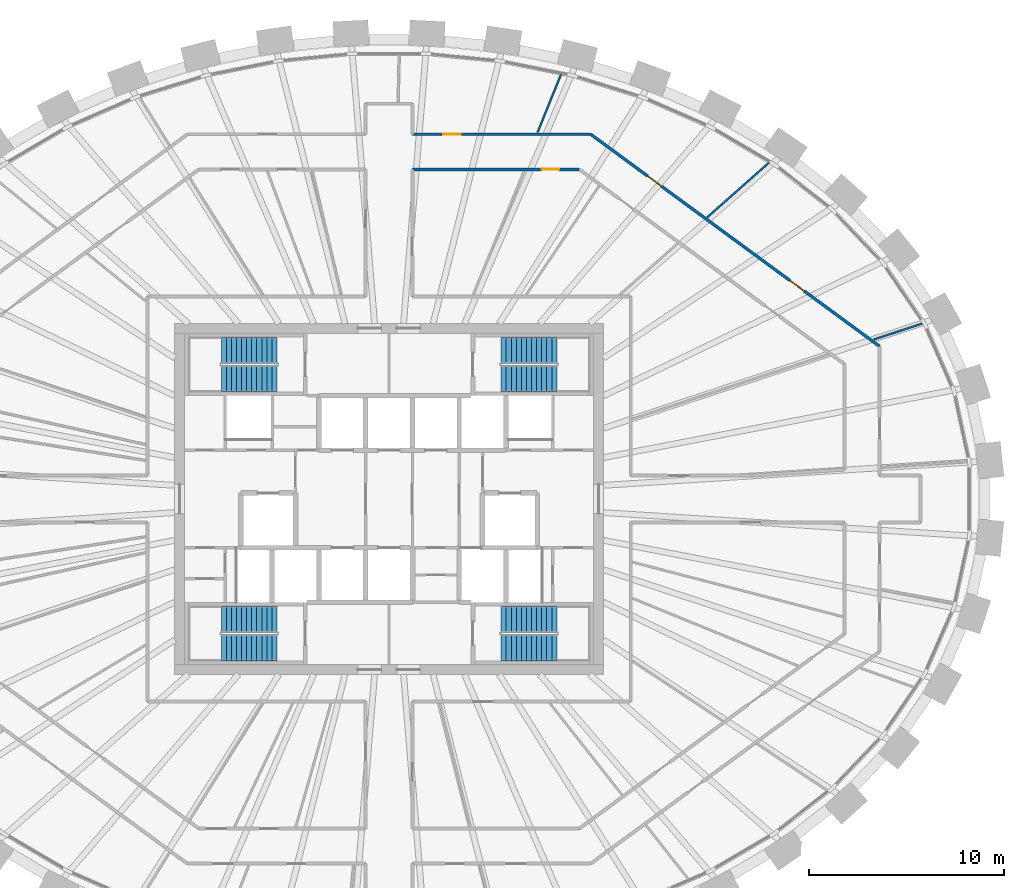
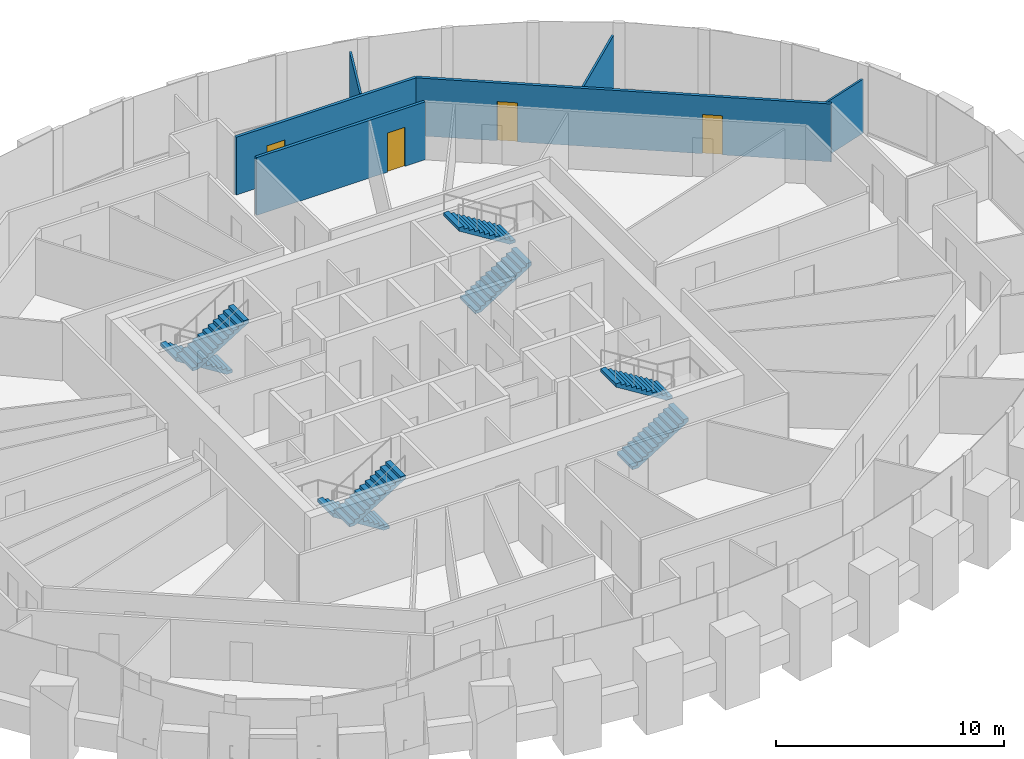
# One storey, part 11 of 12: 8 stair flights, 6 walls, 4 doors, 4 openings, 4 elements without a shape of their own.
"""IFC4 building model written with IfcOpenShell, lengths in metres."""

import ifcopenshell
import ifcopenshell.guid

model = None  # the IFC model being written
_history = None  # IfcOwnerHistory: only IFC2X3 demands one
_inside = {}  # id of a spatial element -> (the spatial element, [elements in it])
_under = {}  # id of a project, library or spatial element -> (it, [spatial elements below it])
_declared = {}  # id of a project -> (the project, [libraries it declares])
_typed = {}  # id of a type object -> (the type object, [elements of that type])
_made_of = {}  # id of a material, layer set ... -> (it, [elements and type objects made of it])


def new_model(schema):
    """Start an empty IFC model of exactly this schema.

    Asked for "IFC4X3", IfcOpenShell would pick the latest addendum, in which some entities
    have other attributes; the version numbers below select the first issue.
    IFC2X3 requires an IfcOwnerHistory on every rooted entity: one is made here for all.
    """
    global model, _history
    if schema == "IFC4X3":
        model = ifcopenshell.file(schema_version=(4, 3, 0, 0))
    else:
        model = ifcopenshell.file(schema=schema)
    _inside.clear()
    _under.clear()
    _declared.clear()
    _typed.clear()
    _made_of.clear()
    _history = None
    if model.schema == "IFC2X3":
        org = make("IfcOrganization", Name="unknown")
        user = make(
            "IfcPersonAndOrganization",
            ThePerson=make("IfcPerson", FamilyName="unknown"),
            TheOrganization=org,
        )
        app = make(
            "IfcApplication",
            ApplicationDeveloper=org,
            Version="unknown",
            ApplicationFullName="unknown",
            ApplicationIdentifier="unknown",
        )
        _history = make(
            "IfcOwnerHistory",
            OwningUser=user,
            OwningApplication=app,
            ChangeAction="ADDED",
            CreationDate=0,
        )
    return model


def make(cls, **values):
    """One entity of the class cls with the attributes given. An attribute that is None is left unset."""
    return model.create_entity(
        cls, **{name: value for name, value in values.items() if value is not None}
    )


def rooted(cls, **values):
    """An entity with a GlobalId (a new one), such as an element, a storey or a relation."""
    return make(cls, GlobalId=ifcopenshell.guid.new(), OwnerHistory=_history, **values)


def si_unit(unit_type, name, prefix=None):
    """IfcSIUnit, for example si_unit("LENGTHUNIT", "METRE", prefix="MILLI")."""
    return make("IfcSIUnit", UnitType=unit_type, Prefix=prefix, Name=name)


def assignment(units):
    """IfcUnitAssignment: the units of a project."""
    return None if units is None else make("IfcUnitAssignment", Units=units)


def point(xyz):
    """IfcCartesianPoint."""
    return None if xyz is None else make("IfcCartesianPoint", Coordinates=xyz)


def direction(xyz):
    """IfcDirection."""
    return None if xyz is None else make("IfcDirection", DirectionRatios=xyz)


def frame(location, z_axis=None, x_axis=None):
    """IfcAxis2Placement3D, a coordinate frame: its origin and axes. An axis left out is left unset."""
    return make(
        "IfcAxis2Placement3D",
        Location=point(location),
        Axis=direction(z_axis),
        RefDirection=direction(x_axis),
    )


def frame_2d(location, x_axis=None):
    """IfcAxis2Placement2D, a coordinate frame in the plane: its origin and x axis."""
    return make(
        "IfcAxis2Placement2D", Location=point(location), RefDirection=direction(x_axis)
    )


def origin():
    """The frame at (0, 0, 0) with its axes left unset."""
    return frame((0.0, 0.0, 0.0))


def place(relative_to, where):
    """IfcLocalPlacement: puts the frame where relative to a parent placement (None: the world)."""
    return make(
        "IfcLocalPlacement", PlacementRelTo=relative_to, RelativePlacement=where
    )


def context(
    kind, dimensions, precision=None, world=None, true_north=None, identifier=None
):
    """IfcGeometricRepresentationContext, for example the 3D "Model" context."""
    return make(
        "IfcGeometricRepresentationContext",
        ContextIdentifier=identifier,
        ContextType=kind,
        CoordinateSpaceDimension=dimensions,
        Precision=precision,
        WorldCoordinateSystem=world,
        TrueNorth=true_north,
    )


def subcontext(parent, identifier, kind, view, scale=None):
    """IfcGeometricRepresentationSubContext, for example "Body" below "Model"."""
    return make(
        "IfcGeometricRepresentationSubContext",
        ContextIdentifier=identifier,
        ContextType=kind,
        ParentContext=parent,
        TargetScale=scale,
        TargetView=view,
    )


def project(units=None, contexts=None):
    """IfcProject with its units and contexts."""
    return rooted(
        "IfcProject",
        Name="project",
        RepresentationContexts=contexts,
        UnitsInContext=assignment(units),
    )


def spatial(cls, under=None, at=None, **own):
    """A site, building, storey or space (cls), placed at a placement, below another one or the project."""
    s = rooted(cls, ObjectPlacement=at, **own)
    if under is not None:
        _under.setdefault(under.id(), (under, []))[1].append(s)
    return s


def polyline(points):
    """IfcPolyline through the points."""
    return make("IfcPolyline", Points=[point(p) for p in points])


def profile(cls, at=None, kind="AREA", **sizes):
    """A parametric profile (cls). Its sizes go by their IFC names, for example OverallWidth=200.0."""
    return make(cls, ProfileType=kind, Position=at, **sizes)


def rectangle(**sizes):
    """IfcRectangleProfileDef."""
    return profile("IfcRectangleProfileDef", **sizes)


def outline(outer, holes=None, kind="AREA"):
    """IfcArbitraryClosedProfileDef: a profile drawn as a closed curve; with holes, ...WithVoids."""
    if holes is None:
        return make("IfcArbitraryClosedProfileDef", ProfileType=kind, OuterCurve=outer)
    return make(
        "IfcArbitraryProfileDefWithVoids",
        ProfileType=kind,
        OuterCurve=outer,
        InnerCurves=holes,
    )


def extrude(swept, where, along, depth):
    """IfcExtrudedAreaSolid: the profile swept, set in the frame where, extruded along a direction by depth."""
    return make(
        "IfcExtrudedAreaSolid",
        SweptArea=swept,
        Position=where,
        ExtrudedDirection=direction(along),
        Depth=depth,
    )


def shape(context_of_items, identifier, shape_type, items):
    """IfcShapeRepresentation: the items that make up one representation, for example the "Body"."""
    return make(
        "IfcShapeRepresentation",
        ContextOfItems=context_of_items,
        RepresentationIdentifier=identifier,
        RepresentationType=shape_type,
        Items=items,
    )


def source(mapping_origin, context_of_items, identifier, shape_type, items):
    """IfcRepresentationMap: a shape defined once, which mapped items show again and again."""
    return make(
        "IfcRepresentationMap",
        MappingOrigin=mapping_origin,
        MappedRepresentation=shape(context_of_items, identifier, shape_type, items),
    )


def transform(
    local_origin,
    x_axis=None,
    y_axis=None,
    z_axis=None,
    scale=None,
    scale2=None,
    scale3=None,
    uniform=True,
):
    """IfcCartesianTransformationOperator3D, or its non-uniform kind. x_axis, y_axis, z_axis: its Axis1, 2, 3."""
    if uniform:
        return make(
            "IfcCartesianTransformationOperator3D",
            Axis1=direction(x_axis),
            Axis2=direction(y_axis),
            LocalOrigin=point(local_origin),
            Scale=scale,
            Axis3=direction(z_axis),
        )
    return make(
        "IfcCartesianTransformationOperator3DnonUniform",
        Axis1=direction(x_axis),
        Axis2=direction(y_axis),
        LocalOrigin=point(local_origin),
        Scale=scale,
        Axis3=direction(z_axis),
        Scale2=scale2,
        Scale3=scale3,
    )


def mapped(mapping_source, mapping_target):
    """IfcMappedItem: shows the shape of a source again, moved by a transform."""
    return make(
        "IfcMappedItem", MappingSource=mapping_source, MappingTarget=mapping_target
    )


def material(Name=None, Category=None):
    """IfcMaterial."""
    return make("IfcMaterial", Name=Name, Category=Category)


def layer(
    of_material, thickness, ventilated=None, Name=None, Category=None, Priority=None
):
    """IfcMaterialLayer: one layer of a wall or slab, of a material (None: an air gap)."""
    return make(
        "IfcMaterialLayer",
        Material=of_material,
        LayerThickness=thickness,
        IsVentilated=ventilated,
        Name=Name,
        Category=Category,
        Priority=Priority,
    )


def layer_set(layers, Name=None):
    """IfcMaterialLayerSet."""
    return make("IfcMaterialLayerSet", MaterialLayers=layers, LayerSetName=Name)


def made_of(thing, what):
    """Note that an element or type object is made of a material, layer set ...; save() writes the relation."""
    if what is not None:
        _made_of.setdefault(what.id(), (what, []))[1].append(thing)
    return thing


def type_object(cls, material=None, **own):
    """A type object (cls), such as IfcWallType, which elements share."""
    return made_of(rooted(cls, **own), material)


def element(
    cls,
    number,
    at=None,
    inside=None,
    cuts=None,
    type_object=None,
    material=None,
    context=None,
    identifier="Body",
    shape_type=None,
    held_by="IfcProductDefinitionShape",
    body=None,
    shapes=None,
    **own,
):
    """One element of the class cls, such as IfcWall. Its Tag is "e" and its number.

    at: its placement. inside: the storey or other place that contains it. cuts: it is an
    opening in that element (IfcRelVoidsElement). A single representation is given by context,
    identifier, shape_type and body (its items); several are given by shapes. held_by: the class
    of the entity that holds the representations. save() writes the other relations.
    """
    e = rooted(cls, Tag="e%d" % number, ObjectPlacement=at, **own)
    if body is not None:
        shapes = [shape(context, identifier, shape_type, body)]
    if shapes is not None:
        e.Representation = make(held_by, Representations=shapes)
    if inside is not None:
        _inside.setdefault(inside.id(), (inside, []))[1].append(e)
    if cuts is not None:
        rooted(
            "IfcRelVoidsElement", RelatingBuildingElement=cuts, RelatedOpeningElement=e
        )
    if type_object is not None:
        _typed.setdefault(type_object.id(), (type_object, []))[1].append(e)
    return made_of(e, material)


def fill(opening, filler):
    """IfcRelFillsElement: the door or window that sits in an opening."""
    return rooted(
        "IfcRelFillsElement",
        RelatingOpeningElement=opening,
        RelatedBuildingElement=filler,
    )


def aggregate(whole, parts):
    """IfcRelAggregates: a whole, such as a stair, and the parts it consists of."""
    return rooted("IfcRelAggregates", RelatingObject=whole, RelatedObjects=parts)


def save(model, path):
    """Write the relations noted so far, then the file.

    IfcRelAggregates (storeys below a building ...), IfcRelContainedInSpatialStructure (elements
    in a storey), IfcRelDefinesByType, IfcRelAssociatesMaterial and IfcRelDeclares: one each for
    every whole, place, type object, material and project.
    """
    for whole, parts in _under.values():
        aggregate(whole, parts)
    for where, things in _inside.values():
        rooted(
            "IfcRelContainedInSpatialStructure",
            RelatedElements=things,
            RelatingStructure=where,
        )
    for kind, things in _typed.values():
        rooted("IfcRelDefinesByType", RelatedObjects=things, RelatingType=kind)
    for what, things in _made_of.values():
        rooted("IfcRelAssociatesMaterial", RelatedObjects=things, RelatingMaterial=what)
    for by, libraries in _declared.values():
        rooted("IfcRelDeclares", RelatingContext=by, RelatedDefinitions=libraries)
    model.write(path)


model = new_model("IFC4")

# Units and contexts
model_context = context("Model", 3, precision=1e-05, world=origin(), true_north=direction((0.0, 1.0)))
body_context = subcontext(model_context, "Body", "Model", "MODEL_VIEW")
ifc_project = project(units=[si_unit("LENGTHUNIT", "METRE"), si_unit("AREAUNIT", "SQUARE_METRE"), si_unit("VOLUMEUNIT", "CUBIC_METRE"), si_unit("PLANEANGLEUNIT", "RADIAN"), si_unit("MASSUNIT", "GRAM", prefix="KILO")], contexts=[model_context])

# Site, building, storey
site_placement = place(None, origin())
site = spatial("IfcSite", under=ifc_project, at=site_placement, CompositionType="ELEMENT")
building_placement = place(site_placement, origin())
building = spatial("IfcBuilding", under=site, at=building_placement, Name="Embergate Tower", CompositionType="ELEMENT")
storey_placement = place(building_placement, frame((0.0, 0.0, 293.5)))
storey = spatial("IfcBuildingStorey", under=building, at=storey_placement, Name="L68", CompositionType="ELEMENT", Elevation=293.5)

# Wall, openings, doors
ifc_material_1 = material(Name="Corridor wall dry-lined 150")
ifc_layer_1 = layer(ifc_material_1, 0.14990234375)
ifc_layer_set_1 = layer_set([ifc_layer_1], Name="Corridor wall dry-lined 150")
wall_type_1 = type_object("IfcWallType", Name="Corridor wall dry-lined 150", PredefinedType="PARTITIONING", material=ifc_layer_set_1)
shared_shape_1 = source(origin(), body_context, "Body", "SweptSolid", [
    extrude(rectangle(XDim=18.38427734375, YDim=0.14990234375, at=frame_2d((9.192138671875, 0.0))), origin(), (0.0, 0.0, 1.0), 3.10009765625),
])
wall_1_placement = place(storey_placement, frame((25.166015625, 7.833984375, 0.0), z_axis=(0.0, 0.0, 1.0), x_axis=(-0.80612330372, 0.591747597545, 0.0)))
wall_1 = element("IfcWall", 1, at=wall_1_placement, inside=storey, type_object=wall_type_1, Name="IP-2 wall", PredefinedType="PARTITIONING", context=body_context, shape_type="MappedRepresentation", body=[
    mapped(shared_shape_1, transform((0.0, 0.0, 0.0))),
])
shared_shape_2 = source(origin(), body_context, "Body", "SweptSolid", [
    extrude(rectangle(XDim=0.89990234375, YDim=2.10009765625, at=frame_2d((0.449951171875, 1.050048828125))), frame((0.0, 0.0849609375, 0.0), z_axis=(0.0, -1.0, 0.0), x_axis=(1.0, 0.0, 0.0)), (0.0, 0.0, 1.0), 0.169921875),
])
opening_1_placement = place(wall_1_placement, frame((4.800537109375, 0.0, 0.0)))
opening_1 = element("IfcOpeningElement", 2, at=opening_1_placement, cuts=wall_1, Name="Opening IF-1c", PredefinedType="OPENING", context=body_context, shape_type="MappedRepresentation", body=[
    mapped(shared_shape_2, transform((0.0, 0.0, 0.0))),
])
opening_2_placement = place(wall_1_placement, frame((13.86767578125, 0.0, 0.0)))
opening_2 = element("IfcOpeningElement", 3, at=opening_2_placement, cuts=wall_1, Name="Opening IF-1c", PredefinedType="OPENING", context=body_context, shape_type="MappedRepresentation", body=[
    mapped(shared_shape_2, transform((0.0, 0.0, 0.0))),
])
ifc_material_2 = material(Name="Escape fire door 900")
door_type = type_object("IfcDoorType", Name="Escape fire door 900", OperationType="SINGLE_SWING_LEFT", PredefinedType="DOOR", material=ifc_material_2)
shared_shape_3 = source(origin(), body_context, "Body", "SweptSolid", [
    extrude(rectangle(XDim=0.89990234375, YDim=2.10009765625, at=frame_2d((0.449951171875, 1.050048828125))), frame((0.0, 0.02490234375, 0.0), z_axis=(0.0, -1.0, 0.0), x_axis=(1.0, 0.0, 0.0)), (0.0, 0.0, 1.0), 0.050048828125),
])
door_1_placement = place(opening_1_placement, origin())
door_1 = element("IfcDoor", 4, at=door_1_placement, inside=storey, type_object=door_type, Name="IF-1 door", OperationType="SINGLE_SWING_LEFT", OverallHeight=2.10009765625, OverallWidth=0.89990234375, PredefinedType="DOOR", context=body_context, shape_type="MappedRepresentation", body=[
    mapped(shared_shape_3, transform((0.0, 0.0, 0.0))),
])
fill(opening_1, door_1)
door_2_placement = place(opening_2_placement, origin())
door_2 = element("IfcDoor", 5, at=door_2_placement, inside=storey, type_object=door_type, Name="IF-1 door", OperationType="SINGLE_SWING_RIGHT", OverallHeight=2.10009765625, OverallWidth=0.89990234375, PredefinedType="DOOR", context=body_context, shape_type="MappedRepresentation", body=[
    mapped(shared_shape_3, transform((0.0, 0.0, 0.0))),
])
fill(opening_2, door_2)

# Wall, opening, door
ifc_material_3 = material(Name="Corridor wall dry-lined 150 wet")
ifc_layer_2 = layer(ifc_material_3, 0.14990234375)
ifc_layer_set_2 = layer_set([ifc_layer_2], Name="Corridor wall dry-lined 150 wet")
wall_type_2 = type_object("IfcWallType", Name="Corridor wall dry-lined 150 wet", PredefinedType="PLUMBINGWALL", material=ifc_layer_set_2)
shared_shape_4 = source(origin(), body_context, "Body", "SweptSolid", [
    extrude(rectangle(XDim=9.14599609375, YDim=0.14990234375, at=frame_2d((4.572998046875, 0.0))), origin(), (0.0, 0.0, 1.0), 3.10009765625),
])
wall_2_placement = place(storey_placement, frame((1.199951171875, 18.712890625, 0.0), z_axis=(0.0, 0.0, 1.0), x_axis=(1.0, 0.0, 0.0)))
wall_2 = element("IfcWall", 6, at=wall_2_placement, inside=storey, type_object=wall_type_2, Name="IP-2 wall", PredefinedType="PLUMBINGWALL", context=body_context, shape_type="MappedRepresentation", body=[
    mapped(shared_shape_4, transform((0.0, 0.0, 0.0))),
])
opening_3_placement = place(wall_2_placement, frame((1.569091796875, 0.0, 0.0)))
opening_3 = element("IfcOpeningElement", 7, at=opening_3_placement, cuts=wall_2, Name="Opening IF-1c", PredefinedType="OPENING", context=body_context, shape_type="MappedRepresentation", body=[
    mapped(shared_shape_2, transform((0.0, 0.0, 0.0))),
])
door_3_placement = place(opening_3_placement, origin())
door_3 = element("IfcDoor", 8, at=door_3_placement, inside=storey, type_object=door_type, Name="IF-1 door", OperationType="SINGLE_SWING_RIGHT", OverallHeight=2.10009765625, OverallWidth=0.89990234375, PredefinedType="DOOR", context=body_context, shape_type="MappedRepresentation", body=[
    mapped(shared_shape_3, transform((0.0, 0.0, 0.0))),
])
fill(opening_3, door_3)

shared_shape_5 = source(origin(), body_context, "Body", "SweptSolid", [
    extrude(rectangle(XDim=8.55615234375, YDim=0.14990234375, at=frame_2d((4.278076171875, 0.0))), origin(), (0.0, 0.0, 1.0), 3.10009765625),
])
wall_3_placement = place(storey_placement, frame((1.199951171875, 16.9130859375, 0.0), z_axis=(0.0, 0.0, 1.0), x_axis=(1.0, 0.0, 0.0)))
wall_3 = element("IfcWall", 9, at=wall_3_placement, inside=storey, type_object=wall_type_2, Name="IP-2 wall", PredefinedType="PLUMBINGWALL", context=body_context, shape_type="MappedRepresentation", body=[
    mapped(shared_shape_5, transform((0.0, 0.0, 0.0))),
])
opening_4_placement = place(wall_3_placement, frame((6.632080078125, 0.0, 0.0)))
opening_4 = element("IfcOpeningElement", 10, at=opening_4_placement, cuts=wall_3, Name="Opening IF-1c", PredefinedType="OPENING", context=body_context, shape_type="MappedRepresentation", body=[
    mapped(shared_shape_2, transform((0.0, 0.0, 0.0))),
])
door_4_placement = place(opening_4_placement, origin())
door_4 = element("IfcDoor", 11, at=door_4_placement, inside=storey, type_object=door_type, Name="IF-1 door", OperationType="SINGLE_SWING_RIGHT", OverallHeight=2.10009765625, OverallWidth=0.89990234375, PredefinedType="DOOR", context=body_context, shape_type="MappedRepresentation", body=[
    mapped(shared_shape_3, transform((0.0, 0.0, 0.0))),
])
fill(opening_4, door_4)

# Walls
ifc_material_4 = material(Name="Partition dry-lined 100")
ifc_layer_3 = layer(ifc_material_4, 0.10009765625)
ifc_layer_set_3 = layer_set([ifc_layer_3], Name="Partition dry-lined 100")
wall_type_3 = type_object("IfcWallType", Name="Partition dry-lined 100", PredefinedType="PARTITIONING", material=ifc_layer_set_3)
shared_shape_6 = source(origin(), body_context, "Body", "SweptSolid", [
    extrude(rectangle(XDim=2.70654296875, YDim=0.10009765625, at=frame_2d((1.353271484375, 0.0))), origin(), (0.0, 0.0, 1.0), 2.89990234375),
])
wall_4_placement = place(storey_placement, frame((24.865966796875, 8.18310546875, 0.0), z_axis=(0.0, 0.0, 1.0), x_axis=(0.949902888469, 0.312545200697, 0.0)))
element("IfcWall", 12, at=wall_4_placement, inside=storey, type_object=wall_type_3, Name="IP-1 wall", PredefinedType="PARTITIONING", context=body_context, shape_type="MappedRepresentation", body=[
    mapped(shared_shape_6, transform((0.0, 0.0, 0.0))),
])
ifc_material_5 = material(Name="Partition dry-lined 100 wet")
ifc_layer_4 = layer(ifc_material_5, 0.10009765625)
ifc_layer_set_4 = layer_set([ifc_layer_4], Name="Partition dry-lined 100 wet")
wall_type_4 = type_object("IfcWallType", Name="Partition dry-lined 100 wet", PredefinedType="PLUMBINGWALL", material=ifc_layer_set_4)
shared_shape_7 = source(origin(), body_context, "Body", "SweptSolid", [
    extrude(rectangle(XDim=4.307861328125, YDim=0.10009765625, at=frame_2d((2.15380859375, 0.0))), origin(), (0.0, 0.0, 1.0), 3.0),
])
wall_5_placement = place(storey_placement, frame((16.31103515625, 14.44091796875, 0.0), z_axis=(0.0, 0.0, 1.0), x_axis=(0.748864579338, 0.662723050612, 0.0)))
element("IfcWall", 13, at=wall_5_placement, inside=storey, type_object=wall_type_4, Name="IP-1 wall", PredefinedType="PLUMBINGWALL", context=body_context, shape_type="MappedRepresentation", body=[
    mapped(shared_shape_7, transform((0.0, 0.0, 0.0))),
])
shared_shape_8 = source(origin(), body_context, "Body", "SweptSolid", [
    extrude(rectangle(XDim=3.27978515625, YDim=0.10009765625, at=frame_2d((1.639892578125, 0.0))), origin(), (0.0, 0.0, 1.0), 3.10009765625),
])
wall_6_placement = place(storey_placement, frame((7.616943359375, 18.806884765625, 0.0), z_axis=(0.0, 0.0, 1.0), x_axis=(0.375314581317, 0.92689749436, 0.0)))
element("IfcWall", 14, at=wall_6_placement, inside=storey, type_object=wall_type_4, Name="IP-1 wall", PredefinedType="PLUMBINGWALL", context=body_context, shape_type="MappedRepresentation", body=[
    mapped(shared_shape_8, transform((0.0, 0.0, 0.0))),
])

# Stair, stair flights
ifc_material_6 = material(Name="Exit stair")
stair_type = type_object("IfcStairType", Name="Exit stair", PredefinedType="HALF_TURN_STAIR", material=ifc_material_6)
stair_1_placement = place(storey_placement, origin())
stair_1 = element("IfcStair", 15, at=stair_1_placement, inside=storey, type_object=stair_type, Name="L68 Exit stair 1", PredefinedType="HALF_TURN_STAIR")
ifc_material_7 = material(Name="Concrete C40", Category="concrete")
stair_flight_type = type_object("IfcStairFlightType", Name="Stair flight reinforced concrete", PredefinedType="STRAIGHT", material=ifc_material_7)
shared_shape_9 = source(origin(), body_context, "Body", "SweptSolid", [
    extrude(outline(polyline([(0.0, 0.0), (0.0, 0.16259765625), (0.260009765625, 0.16259765625), (0.260009765625, 0.324951171875), (0.52001953125, 0.324951171875), (0.52001953125, 0.487548828125), (0.780029296875, 0.487548828125), (0.780029296875, 0.64990234375), (1.0400390625, 0.64990234375), (1.0400390625, 0.8125), (1.300048828125, 0.8125), (1.300048828125, 0.97509765625), (1.56005859375, 0.97509765625), (1.56005859375, 1.137451171875), (1.820068359375, 1.137451171875), (1.820068359375, 1.300048828125), (2.080078125, 1.300048828125), (2.080078125, 1.46240234375), (2.340087890625, 1.46240234375), (2.340087890625, 1.625), (2.60009765625, 1.625), (2.60009765625, 1.78759765625), (2.860107421875, 1.78759765625), (2.860107421875, 1.949951171875), (2.860107421875, 1.61083984375), (0.28271484375, 0.0), (0.0, 0.0)])), frame((0.0, 0.675048828125, 0.0), z_axis=(0.0, -1.0, 0.0), x_axis=(1.0, 0.0, 0.0)), (0.0, 0.0, 1.0), 1.35009765625),
])
stair_flight_1_placement = place(storey_placement, frame((-5.75, 7.625, 0.0), z_axis=(0.0, 0.0, 1.0), x_axis=(-1.0, 0.0, 0.0)))
stair_flight_1 = element("IfcStairFlight", 16, at=stair_flight_1_placement, type_object=stair_flight_type, Name="ST1 flight 1", NumberOfRisers=12, NumberOfTreads=11, PredefinedType="STRAIGHT", RiserHeight=0.1625, TreadLength=0.26, context=body_context, shape_type="MappedRepresentation", body=[
    mapped(shared_shape_9, transform((0.0, 0.0, 0.0))),
])
stair_flight_2_placement = place(storey_placement, frame((-8.610107421875, 6.175048828125, 1.949951171875), z_axis=(0.0, 0.0, 1.0), x_axis=(1.0, 0.0, 0.0)))
stair_flight_2 = element("IfcStairFlight", 17, at=stair_flight_2_placement, type_object=stair_flight_type, Name="ST1 flight 2", NumberOfRisers=12, NumberOfTreads=11, PredefinedType="STRAIGHT", RiserHeight=0.1625, TreadLength=0.26, context=body_context, shape_type="MappedRepresentation", body=[
    mapped(shared_shape_9, transform((0.0, 0.0, 0.0))),
])
aggregate(stair_1, [stair_flight_1, stair_flight_2])

stair_2_placement = place(storey_placement, origin())
stair_2 = element("IfcStair", 18, at=stair_2_placement, inside=storey, type_object=stair_type, Name="L68 Exit stair 2", PredefinedType="HALF_TURN_STAIR")
stair_flight_3_placement = place(storey_placement, frame((5.75, 6.175048828125, 0.0), z_axis=(0.0, 0.0, 1.0), x_axis=(1.0, 0.0, 0.0)))
stair_flight_3 = element("IfcStairFlight", 19, at=stair_flight_3_placement, type_object=stair_flight_type, Name="ST2 flight 1", NumberOfRisers=12, NumberOfTreads=11, PredefinedType="STRAIGHT", RiserHeight=0.1625, TreadLength=0.26, context=body_context, shape_type="MappedRepresentation", body=[
    mapped(shared_shape_9, transform((0.0, 0.0, 0.0))),
])
stair_flight_4_placement = place(storey_placement, frame((8.610107421875, 7.625, 1.949951171875), z_axis=(0.0, 0.0, 1.0), x_axis=(-1.0, 0.0, 0.0)))
stair_flight_4 = element("IfcStairFlight", 20, at=stair_flight_4_placement, type_object=stair_flight_type, Name="ST2 flight 2", NumberOfRisers=12, NumberOfTreads=11, PredefinedType="STRAIGHT", RiserHeight=0.1625, TreadLength=0.26, context=body_context, shape_type="MappedRepresentation", body=[
    mapped(shared_shape_9, transform((0.0, 0.0, 0.0))),
])
aggregate(stair_2, [stair_flight_3, stair_flight_4])

stair_3_placement = place(storey_placement, origin())
stair_3 = element("IfcStair", 21, at=stair_3_placement, inside=storey, type_object=stair_type, Name="L68 Exit stair 3", PredefinedType="HALF_TURN_STAIR")
stair_flight_5_placement = place(storey_placement, frame((-5.75, -6.175048828125, 0.0), z_axis=(0.0, 0.0, 1.0), x_axis=(-1.0, 0.0, 0.0)))
stair_flight_5 = element("IfcStairFlight", 22, at=stair_flight_5_placement, type_object=stair_flight_type, Name="ST3 flight 1", NumberOfRisers=12, NumberOfTreads=11, PredefinedType="STRAIGHT", RiserHeight=0.1625, TreadLength=0.26, context=body_context, shape_type="MappedRepresentation", body=[
    mapped(shared_shape_9, transform((0.0, 0.0, 0.0))),
])
stair_flight_6_placement = place(storey_placement, frame((-8.610107421875, -7.625, 1.949951171875), z_axis=(0.0, 0.0, 1.0), x_axis=(1.0, 0.0, 0.0)))
stair_flight_6 = element("IfcStairFlight", 23, at=stair_flight_6_placement, type_object=stair_flight_type, Name="ST3 flight 2", NumberOfRisers=12, NumberOfTreads=11, PredefinedType="STRAIGHT", RiserHeight=0.1625, TreadLength=0.26, context=body_context, shape_type="MappedRepresentation", body=[
    mapped(shared_shape_9, transform((0.0, 0.0, 0.0))),
])
aggregate(stair_3, [stair_flight_5, stair_flight_6])

stair_4_placement = place(storey_placement, origin())
stair_4 = element("IfcStair", 24, at=stair_4_placement, inside=storey, type_object=stair_type, Name="L68 Exit stair 4", PredefinedType="HALF_TURN_STAIR")
stair_flight_7_placement = place(storey_placement, frame((5.75, -7.625, 0.0), z_axis=(0.0, 0.0, 1.0), x_axis=(1.0, 0.0, 0.0)))
stair_flight_7 = element("IfcStairFlight", 25, at=stair_flight_7_placement, type_object=stair_flight_type, Name="ST4 flight 1", NumberOfRisers=12, NumberOfTreads=11, PredefinedType="STRAIGHT", RiserHeight=0.1625, TreadLength=0.26, context=body_context, shape_type="MappedRepresentation", body=[
    mapped(shared_shape_9, transform((0.0, 0.0, 0.0))),
])
stair_flight_8_placement = place(storey_placement, frame((8.610107421875, -6.175048828125, 1.949951171875), z_axis=(0.0, 0.0, 1.0), x_axis=(-1.0, 0.0, 0.0)))
stair_flight_8 = element("IfcStairFlight", 26, at=stair_flight_8_placement, type_object=stair_flight_type, Name="ST4 flight 2", NumberOfRisers=12, NumberOfTreads=11, PredefinedType="STRAIGHT", RiserHeight=0.1625, TreadLength=0.26, context=body_context, shape_type="MappedRepresentation", body=[
    mapped(shared_shape_9, transform((0.0, 0.0, 0.0))),
])
aggregate(stair_4, [stair_flight_7, stair_flight_8])

save(model, "model.ifc")
